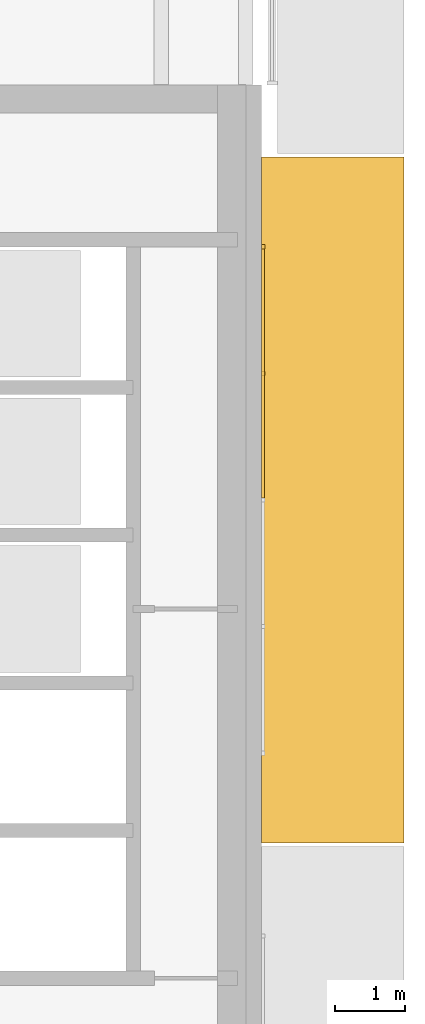
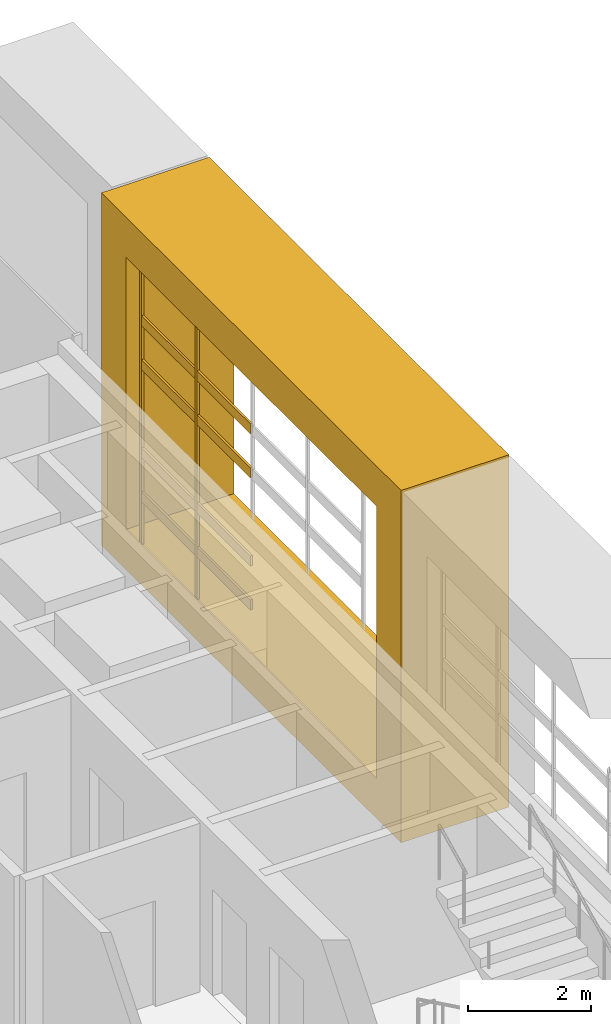
# One storey, part 19 of 21: 7 coverings.
"""IFC4 building model written with IfcOpenShell, lengths in metres."""

from ifc_helpers import new_model, si_unit, direction, frame, origin, origin_2d, place, context, subcontext, project, spatial, polyline, rectangle, outline, extrude, material, type_object, element, save


model = new_model("IFC4")

# Units and contexts
model_context = context("Model", 3, precision=1e-05, world=origin(), true_north=direction((0.0, 1.0)))
body_context = subcontext(model_context, "Body", "Model", "MODEL_VIEW")
ifc_project = project(units=[si_unit("LENGTHUNIT", "METRE"), si_unit("AREAUNIT", "SQUARE_METRE"), si_unit("VOLUMEUNIT", "CUBIC_METRE"), si_unit("PLANEANGLEUNIT", "RADIAN"), si_unit("MASSUNIT", "GRAM", prefix="KILO")], contexts=[model_context])

# Site, building, storey
site_placement = place(None, origin())
site = spatial("IfcSite", under=ifc_project, at=site_placement, CompositionType="ELEMENT")
building_placement = place(site_placement, origin())
building = spatial("IfcBuilding", under=site, at=building_placement, Name="Cobrizo Arcos Hotel Tower", CompositionType="ELEMENT")
storey_placement = place(building_placement, frame((0.0, 0.0, 248.0)))
storey = spatial("IfcBuildingStorey", under=building, at=storey_placement, Name="L65", CompositionType="ELEMENT", Elevation=248.0)

# Coverings
ifc_material_1 = material(Name="Aluminium 6063-T6 anodised bronze", Category="aluminium")
covering_type_1 = type_object("IfcCoveringType", Name="FIN-F 2025", PredefinedType="CLADDING", material=ifc_material_1)
covering_placement = place(storey_placement, frame((20.625, 0.02490234375, 0.0), z_axis=(1.0, 0.0, 0.0), x_axis=(0.0, 1.0, 0.0)))
element("IfcCovering", 1, at=covering_placement, inside=storey, type_object=covering_type_1, Name="Fin frame 385", PredefinedType="CLADDING", context=body_context, shape_type="SweptSolid", body=[
    extrude(outline(polyline([(0.0, 7.0), (0.0, 0.0), (9.75, 0.0), (9.75, 7.0), (0.0, 7.0)]), holes=[polyline([(8.949951171875, 0.800048828125), (0.800048828125, 0.800048828125), (0.800048828125, 6.199951171875), (8.949951171875, 6.199951171875), (8.949951171875, 0.800048828125)])]), origin(), (0.0, 0.0, 1.0), 2.02490234375),
])
ifc_material_2 = material(Name="Aluminium 6063-T6 anodised pale", Category="aluminium")
covering_type_2 = type_object("IfcCoveringType", Name="RS-2 rainscreen rib 60x50", PredefinedType="CLADDING", material=ifc_material_2)
for number, where, z_axis, x_axis, name in (
    (2, (20.64990234375, 6.699951171875, 0.800048828125), (0.0, 0.0, 1.0), (0.0, 1.0, 0.0), "Rainscreen rib 259"),
    (3, (20.64990234375, 8.5, 0.800048828125), (0.0, 0.0, 1.0), (0.0, 1.0, 0.0), "Rainscreen rib 260"),
):
    element("IfcCovering", number, at=place(storey_placement, frame(where, z_axis=z_axis, x_axis=x_axis)), inside=storey, type_object=covering_type_2, Name=name, PredefinedType="CLADDING", context=body_context, shape_type="SweptSolid", body=[
        extrude(rectangle(XDim=0.06005859375, YDim=0.050048828125, at=origin_2d()), origin(), (0.0, 0.0, 1.0), 5.39990234375),
    ])
covering_type_3 = type_object("IfcCoveringType", Name="RS-3 rainscreen louvre slat 200x40", PredefinedType="CLADDING", material=ifc_material_2)
for number, where, z_axis, x_axis, name in (
    (4, (20.64501953125, 6.699951171875, 1.64990234375), (0.0, 0.0, 1.0), (0.0, 1.0, 0.0), "Rainscreen slat 79"),
    (5, (20.64501953125, 6.699951171875, 2.52490234375), (0.0, 0.0, 1.0), (0.0, 1.0, 0.0), "Rainscreen slat 80"),
    (6, (20.64501953125, 6.699951171875, 4.27490234375), (0.0, 0.0, 1.0), (0.0, 1.0, 0.0), "Rainscreen slat 83"),
    (7, (20.64501953125, 6.699951171875, 5.14990234375), (0.0, 0.0, 1.0), (0.0, 1.0, 0.0), "Rainscreen slat 84"),
):
    element("IfcCovering", number, at=place(storey_placement, frame(where, z_axis=z_axis, x_axis=x_axis)), inside=storey, type_object=covering_type_3, Name=name, PredefinedType="CLADDING", context=body_context, shape_type="SweptSolid", body=[
        extrude(rectangle(XDim=3.5400390625, YDim=0.0400390625, at=origin_2d()), origin(), (0.0, 0.0, 1.0), 0.199951171875),
    ])

save(model, "model.ifc")
